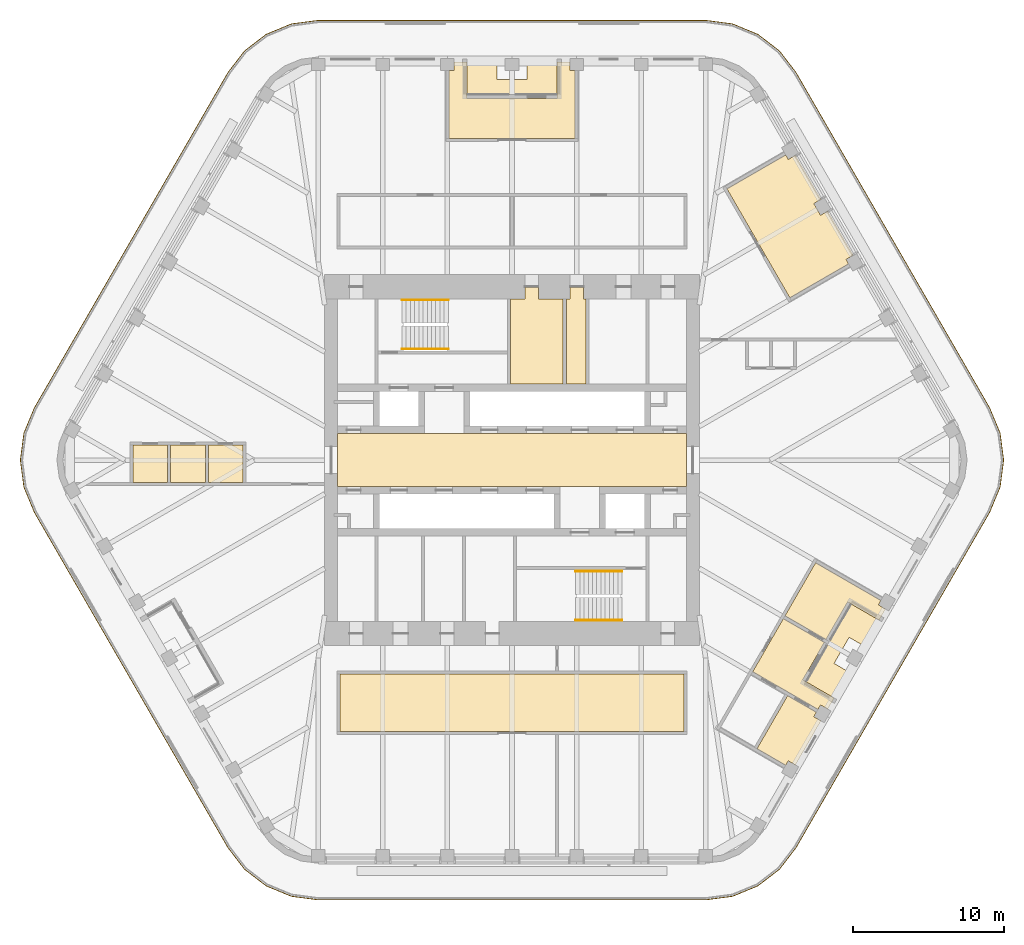
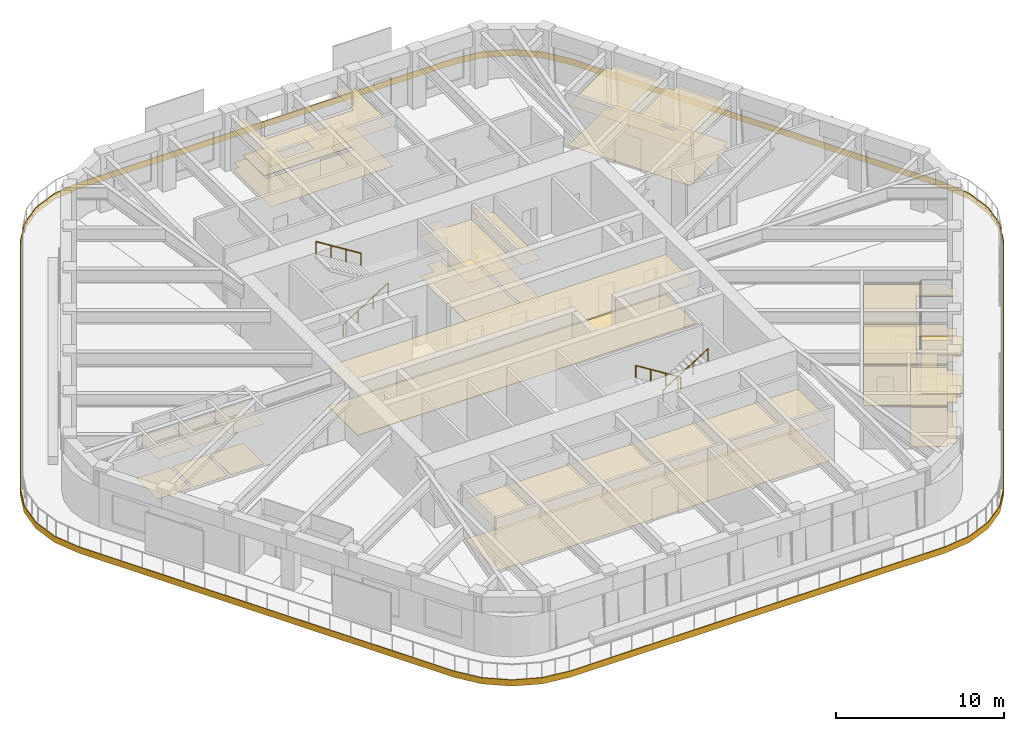
# One storey, part 18 of 19: 11 coverings, 4 railings.
"""IFC4 building model written with IfcOpenShell, lengths in metres."""

import ifcopenshell
import ifcopenshell.guid

model = None  # the IFC model being written
_history = None  # IfcOwnerHistory: only IFC2X3 demands one
_inside = {}  # id of a spatial element -> (the spatial element, [elements in it])
_under = {}  # id of a project, library or spatial element -> (it, [spatial elements below it])
_declared = {}  # id of a project -> (the project, [libraries it declares])
_typed = {}  # id of a type object -> (the type object, [elements of that type])
_made_of = {}  # id of a material, layer set ... -> (it, [elements and type objects made of it])


def new_model(schema):
    """Start an empty IFC model of exactly this schema.

    Asked for "IFC4X3", IfcOpenShell would pick the latest addendum, in which some entities
    have other attributes; the version numbers below select the first issue.
    IFC2X3 requires an IfcOwnerHistory on every rooted entity: one is made here for all.
    """
    global model, _history
    if schema == "IFC4X3":
        model = ifcopenshell.file(schema_version=(4, 3, 0, 0))
    else:
        model = ifcopenshell.file(schema=schema)
    _inside.clear()
    _under.clear()
    _declared.clear()
    _typed.clear()
    _made_of.clear()
    _history = None
    if model.schema == "IFC2X3":
        org = make("IfcOrganization", Name="unknown")
        user = make(
            "IfcPersonAndOrganization",
            ThePerson=make("IfcPerson", FamilyName="unknown"),
            TheOrganization=org,
        )
        app = make(
            "IfcApplication",
            ApplicationDeveloper=org,
            Version="unknown",
            ApplicationFullName="unknown",
            ApplicationIdentifier="unknown",
        )
        _history = make(
            "IfcOwnerHistory",
            OwningUser=user,
            OwningApplication=app,
            ChangeAction="ADDED",
            CreationDate=0,
        )
    return model


def make(cls, **values):
    """One entity of the class cls with the attributes given. An attribute that is None is left unset."""
    return model.create_entity(
        cls, **{name: value for name, value in values.items() if value is not None}
    )


def rooted(cls, **values):
    """An entity with a GlobalId (a new one), such as an element, a storey or a relation."""
    return make(cls, GlobalId=ifcopenshell.guid.new(), OwnerHistory=_history, **values)


def si_unit(unit_type, name, prefix=None):
    """IfcSIUnit, for example si_unit("LENGTHUNIT", "METRE", prefix="MILLI")."""
    return make("IfcSIUnit", UnitType=unit_type, Prefix=prefix, Name=name)


def assignment(units):
    """IfcUnitAssignment: the units of a project."""
    return None if units is None else make("IfcUnitAssignment", Units=units)


def point(xyz):
    """IfcCartesianPoint."""
    return None if xyz is None else make("IfcCartesianPoint", Coordinates=xyz)


def direction(xyz):
    """IfcDirection."""
    return None if xyz is None else make("IfcDirection", DirectionRatios=xyz)


def frame(location, z_axis=None, x_axis=None):
    """IfcAxis2Placement3D, a coordinate frame: its origin and axes. An axis left out is left unset."""
    return make(
        "IfcAxis2Placement3D",
        Location=point(location),
        Axis=direction(z_axis),
        RefDirection=direction(x_axis),
    )


def frame_2d(location, x_axis=None):
    """IfcAxis2Placement2D, a coordinate frame in the plane: its origin and x axis."""
    return make(
        "IfcAxis2Placement2D", Location=point(location), RefDirection=direction(x_axis)
    )


def origin():
    """The frame at (0, 0, 0) with its axes left unset."""
    return frame((0.0, 0.0, 0.0))


def origin_2d():
    """The frame at (0, 0) in the plane with its x axis left unset."""
    return frame_2d((0.0, 0.0))


def place(relative_to, where):
    """IfcLocalPlacement: puts the frame where relative to a parent placement (None: the world)."""
    return make(
        "IfcLocalPlacement", PlacementRelTo=relative_to, RelativePlacement=where
    )


def context(
    kind, dimensions, precision=None, world=None, true_north=None, identifier=None
):
    """IfcGeometricRepresentationContext, for example the 3D "Model" context."""
    return make(
        "IfcGeometricRepresentationContext",
        ContextIdentifier=identifier,
        ContextType=kind,
        CoordinateSpaceDimension=dimensions,
        Precision=precision,
        WorldCoordinateSystem=world,
        TrueNorth=true_north,
    )


def subcontext(parent, identifier, kind, view, scale=None):
    """IfcGeometricRepresentationSubContext, for example "Body" below "Model"."""
    return make(
        "IfcGeometricRepresentationSubContext",
        ContextIdentifier=identifier,
        ContextType=kind,
        ParentContext=parent,
        TargetScale=scale,
        TargetView=view,
    )


def project(units=None, contexts=None):
    """IfcProject with its units and contexts."""
    return rooted(
        "IfcProject",
        Name="project",
        RepresentationContexts=contexts,
        UnitsInContext=assignment(units),
    )


def spatial(cls, under=None, at=None, **own):
    """A site, building, storey or space (cls), placed at a placement, below another one or the project."""
    s = rooted(cls, ObjectPlacement=at, **own)
    if under is not None:
        _under.setdefault(under.id(), (under, []))[1].append(s)
    return s


def polyline(points):
    """IfcPolyline through the points."""
    return make("IfcPolyline", Points=[point(p) for p in points])


def profile(cls, at=None, kind="AREA", **sizes):
    """A parametric profile (cls). Its sizes go by their IFC names, for example OverallWidth=200.0."""
    return make(cls, ProfileType=kind, Position=at, **sizes)


def circle(**sizes):
    """IfcCircleProfileDef."""
    return profile("IfcCircleProfileDef", **sizes)


def outline(outer, holes=None, kind="AREA"):
    """IfcArbitraryClosedProfileDef: a profile drawn as a closed curve; with holes, ...WithVoids."""
    if holes is None:
        return make("IfcArbitraryClosedProfileDef", ProfileType=kind, OuterCurve=outer)
    return make(
        "IfcArbitraryProfileDefWithVoids",
        ProfileType=kind,
        OuterCurve=outer,
        InnerCurves=holes,
    )


def extrude(swept, where, along, depth):
    """IfcExtrudedAreaSolid: the profile swept, set in the frame where, extruded along a direction by depth."""
    return make(
        "IfcExtrudedAreaSolid",
        SweptArea=swept,
        Position=where,
        ExtrudedDirection=direction(along),
        Depth=depth,
    )


def shape(context_of_items, identifier, shape_type, items):
    """IfcShapeRepresentation: the items that make up one representation, for example the "Body"."""
    return make(
        "IfcShapeRepresentation",
        ContextOfItems=context_of_items,
        RepresentationIdentifier=identifier,
        RepresentationType=shape_type,
        Items=items,
    )


def material(Name=None, Category=None):
    """IfcMaterial."""
    return make("IfcMaterial", Name=Name, Category=Category)


def layer(
    of_material, thickness, ventilated=None, Name=None, Category=None, Priority=None
):
    """IfcMaterialLayer: one layer of a wall or slab, of a material (None: an air gap)."""
    return make(
        "IfcMaterialLayer",
        Material=of_material,
        LayerThickness=thickness,
        IsVentilated=ventilated,
        Name=Name,
        Category=Category,
        Priority=Priority,
    )


def layer_set(layers, Name=None):
    """IfcMaterialLayerSet."""
    return make("IfcMaterialLayerSet", MaterialLayers=layers, LayerSetName=Name)


def made_of(thing, what):
    """Note that an element or type object is made of a material, layer set ...; save() writes the relation."""
    if what is not None:
        _made_of.setdefault(what.id(), (what, []))[1].append(thing)
    return thing


def type_object(cls, material=None, **own):
    """A type object (cls), such as IfcWallType, which elements share."""
    return made_of(rooted(cls, **own), material)


def element(
    cls,
    number,
    at=None,
    inside=None,
    cuts=None,
    type_object=None,
    material=None,
    context=None,
    identifier="Body",
    shape_type=None,
    held_by="IfcProductDefinitionShape",
    body=None,
    shapes=None,
    **own,
):
    """One element of the class cls, such as IfcWall. Its Tag is "e" and its number.

    at: its placement. inside: the storey or other place that contains it. cuts: it is an
    opening in that element (IfcRelVoidsElement). A single representation is given by context,
    identifier, shape_type and body (its items); several are given by shapes. held_by: the class
    of the entity that holds the representations. save() writes the other relations.
    """
    e = rooted(cls, Tag="e%d" % number, ObjectPlacement=at, **own)
    if body is not None:
        shapes = [shape(context, identifier, shape_type, body)]
    if shapes is not None:
        e.Representation = make(held_by, Representations=shapes)
    if inside is not None:
        _inside.setdefault(inside.id(), (inside, []))[1].append(e)
    if cuts is not None:
        rooted(
            "IfcRelVoidsElement", RelatingBuildingElement=cuts, RelatedOpeningElement=e
        )
    if type_object is not None:
        _typed.setdefault(type_object.id(), (type_object, []))[1].append(e)
    return made_of(e, material)


def aggregate(whole, parts):
    """IfcRelAggregates: a whole, such as a stair, and the parts it consists of."""
    return rooted("IfcRelAggregates", RelatingObject=whole, RelatedObjects=parts)


def save(model, path):
    """Write the relations noted so far, then the file.

    IfcRelAggregates (storeys below a building ...), IfcRelContainedInSpatialStructure (elements
    in a storey), IfcRelDefinesByType, IfcRelAssociatesMaterial and IfcRelDeclares: one each for
    every whole, place, type object, material and project.
    """
    for whole, parts in _under.values():
        aggregate(whole, parts)
    for where, things in _inside.values():
        rooted(
            "IfcRelContainedInSpatialStructure",
            RelatedElements=things,
            RelatingStructure=where,
        )
    for kind, things in _typed.values():
        rooted("IfcRelDefinesByType", RelatedObjects=things, RelatingType=kind)
    for what, things in _made_of.values():
        rooted("IfcRelAssociatesMaterial", RelatedObjects=things, RelatingMaterial=what)
    for by, libraries in _declared.values():
        rooted("IfcRelDeclares", RelatingContext=by, RelatedDefinitions=libraries)
    model.write(path)


model = new_model("IFC4")

# Units and contexts
model_context = context("Model", 3, precision=1e-05, world=origin(), true_north=direction((0.0, 1.0)))
body_context = subcontext(model_context, "Body", "Model", "MODEL_VIEW")
ifc_project = project(units=[si_unit("LENGTHUNIT", "METRE"), si_unit("AREAUNIT", "SQUARE_METRE"), si_unit("VOLUMEUNIT", "CUBIC_METRE"), si_unit("PLANEANGLEUNIT", "RADIAN"), si_unit("MASSUNIT", "GRAM", prefix="KILO")], contexts=[model_context])

# Site, building, storey
site_placement = place(None, origin())
site = spatial("IfcSite", under=ifc_project, at=site_placement, CompositionType="ELEMENT")
building_placement = place(site_placement, origin())
building = spatial("IfcBuilding", under=site, at=building_placement, Name="Tarfa Lantern Tower", CompositionType="ELEMENT")
storey_placement = place(building_placement, frame((0.0, 0.0, 357.699951171875)))
storey = spatial("IfcBuildingStorey", under=building, at=storey_placement, Name="L81", CompositionType="ELEMENT", Elevation=357.699951171875)

# Coverings
ifc_material_1 = material(Name="Mineral fibre acoustic tile on suspension grid", Category="finish")
ifc_layer_1 = layer(ifc_material_1, 0.02001953125)
ifc_layer_set_1 = layer_set([ifc_layer_1], Name="CL1 ACOUSTIC TILE CEILING 20")
covering_type_1 = type_object("IfcCoveringType", Name="CL1 ACOUSTIC TILE CEILING 20", PredefinedType="CEILING", material=ifc_layer_set_1)
covering_1_placement = place(storey_placement, frame((0.0, 0.0, 2.900146484375)))
element("IfcCovering", 1, at=covering_1_placement, inside=storey, type_object=covering_type_1, Name="Ceiling L81 CL1", PredefinedType="CEILING", context=body_context, shape_type="SweptSolid", body=[
    extrude(outline(polyline([(4.18212890625, 21.35009765625), (-4.18212890625, 21.35009765625), (-4.18212890625, 25.85009765625), (-3.83203125, 25.85009765625), (-3.83203125, 26.39990234375), (-2.98193359375, 26.39990234375), (-2.98193359375, 24.0), (2.98193359375, 24.0), (2.98193359375, 26.39990234375), (3.83203125, 26.39990234375), (3.83203125, 25.85009765625), (4.18212890625, 25.85009765625), (4.18212890625, 21.35009765625)])), origin(), (0.0, 0.0, 1.0), 0.02001953125),
    extrude(outline(polyline([(14.257568359375, 18.005126953125), (18.15478515625, 20.255126953125), (18.329833984375, 19.951904296875), (18.80615234375, 20.22705078125), (20.4970703125, 17.298095703125), (20.020751953125, 17.02294921875), (20.470703125, 16.24365234375), (20.947021484375, 16.5185546875), (22.63818359375, 13.589599609375), (22.161865234375, 13.314697265625), (22.336669921875, 13.01171875), (18.439697265625, 10.76171875), (14.257568359375, 18.005126953125)])), origin(), (0.0, 0.0, 1.0), 0.02001953125),
    extrude(outline(polyline([(16.24951171875, -19.155029296875), (18.29052734375, -15.619873046875), (20.19580078125, -16.719970703125), (20.020751953125, -17.02294921875), (20.4970703125, -17.298095703125), (18.80615234375, -20.22705078125), (18.329833984375, -19.951904296875), (18.15478515625, -20.255126953125), (16.24951171875, -19.155029296875)])), origin(), (0.0, 0.0, 1.0), 0.02001953125),
    extrude(outline(polyline([(18.006591796875, -10.51171875), (20.734619140625, -12.086669921875), (19.293701171875, -14.58251953125), (21.3720703125, -15.782470703125), (20.947021484375, -16.5185546875), (20.470703125, -16.24365234375), (20.295654296875, -16.546630859375), (15.965576171875, -14.046630859375), (18.006591796875, -10.51171875)])), origin(), (0.0, 0.0, 1.0), 0.02001953125),
    extrude(outline(polyline([(-20.150146484375, 1.0), (-17.85009765625, 1.0), (-17.85009765625, -1.5), (-20.150146484375, -1.5), (-20.150146484375, 1.0)])), origin(), (0.0, 0.0, 1.0), 0.02001953125),
    extrude(outline(polyline([(-22.650146484375, 1.0), (-20.35009765625, 1.0), (-20.35009765625, -1.5), (-22.650146484375, -1.5), (-22.650146484375, 1.0)])), origin(), (0.0, 0.0, 1.0), 0.02001953125),
    extrude(outline(polyline([(-25.150146484375, 1.0), (-22.85009765625, 1.0), (-22.85009765625, -1.5), (-25.150146484375, -1.5), (-25.150146484375, 1.0)])), origin(), (0.0, 0.0, 1.0), 0.02001953125),
    extrude(outline(polyline([(-11.39990234375, -14.199951171875), (11.39990234375, -14.199951171875), (11.39990234375, -18.0), (-11.39990234375, -18.0), (-11.39990234375, -14.199951171875)])), origin(), (0.0, 0.0, 1.0), 0.02001953125),
    extrude(outline(polyline([(20.147705078125, -6.80322265625), (24.477783203125, -9.30322265625), (24.302734375, -9.6064453125), (24.779052734375, -9.88134765625), (24.35400390625, -10.617431640625), (22.275634765625, -9.41748046875), (20.834716796875, -11.913330078125), (18.106689453125, -10.33837890625), (20.147705078125, -6.80322265625)])), origin(), (0.0, 0.0, 1.0), 0.02001953125),
])
ifc_material_2 = material(Name="Moisture-resistant plasterboard", Category="finish")
ifc_layer_2 = layer(ifc_material_2, 0.014892578125)
ifc_layer_set_2 = layer_set([ifc_layer_2], Name="CL2 MOISTURE-RESISTANT PLASTERBOARD CEILING 15")
covering_type_2 = type_object("IfcCoveringType", Name="CL2 MOISTURE-RESISTANT PLASTERBOARD CEILING 15", PredefinedType="CEILING", material=ifc_layer_set_2)
covering_2_placement = place(storey_placement, frame((0.0, 0.0, 2.900146484375)))
element("IfcCovering", 2, at=covering_2_placement, inside=storey, type_object=covering_type_2, Name="Ceiling L81-05", PredefinedType="CEILING", context=body_context, shape_type="SweptSolid", body=[
    extrude(outline(polyline([(0.85009765625, 10.699951171875), (-0.10009765625, 10.699951171875), (-0.10009765625, 5.050048828125), (3.39990234375, 5.050048828125), (3.39990234375, 10.699951171875), (1.75, 10.699951171875), (1.75, 11.5), (0.85009765625, 11.5), (0.85009765625, 11.5), (0.85009765625, 10.699951171875)])), origin(), (0.0, 0.0, 1.0), 0.014892578125),
])
covering_3_placement = place(storey_placement, frame((0.0, 0.0, 2.900146484375)))
element("IfcCovering", 3, at=covering_3_placement, inside=storey, type_object=covering_type_2, Name="Ceiling L81-06", PredefinedType="CEILING", context=body_context, shape_type="SweptSolid", body=[
    extrude(outline(polyline([(3.60009765625, 5.050048828125), (4.89990234375, 5.050048828125), (4.89990234375, 10.699951171875), (4.75, 10.699951171875), (4.75, 11.5), (3.85009765625, 11.5), (3.85009765625, 10.699951171875), (3.60009765625, 10.699951171875), (3.60009765625, 5.050048828125)])), origin(), (0.0, 0.0, 1.0), 0.014892578125),
])
ifc_material_3 = material(Name="Powder-coated aluminium panel", Category="aluminium")
ifc_layer_3 = layer(ifc_material_3, 0.030029296875)
ifc_layer_set_3 = layer_set([ifc_layer_3], Name="CL3 METAL PANEL CEILING 30")
covering_type_3 = type_object("IfcCoveringType", Name="CL3 METAL PANEL CEILING 30", PredefinedType="CEILING", material=ifc_layer_set_3)
covering_4_placement = place(storey_placement, frame((0.0, 0.0, 2.900146484375)))
element("IfcCovering", 4, at=covering_4_placement, inside=storey, type_object=covering_type_3, Name="Ceiling L81-01", PredefinedType="CEILING", context=body_context, shape_type="SweptSolid", body=[
    extrude(outline(polyline([(-11.574951171875, -1.75), (11.574951171875, -1.75), (11.574951171875, 1.75), (-11.574951171875, 1.75), (-11.574951171875, -1.75)])), origin(), (0.0, 0.0, 1.0), 0.02978515625),
])
ifc_material_4 = material(Name="Nylon carpet tile", Category="finish")
ifc_layer_4 = layer(ifc_material_4, 0.010009765625)
ifc_layer_set_4 = layer_set([ifc_layer_4], Name="FL1 CARPET TILE 10")
covering_type_4 = type_object("IfcCoveringType", Name="FL1 CARPET TILE 10", PredefinedType="FLOORING", material=ifc_layer_set_4)
covering_5_placement = place(storey_placement, origin())
element("IfcCovering", 5, at=covering_5_placement, inside=storey, type_object=covering_type_4, Name="Floor finish L81 FL1", PredefinedType="FLOORING", context=body_context, shape_type="SweptSolid", body=[
    extrude(outline(polyline([(4.18212890625, 21.35009765625), (-4.18212890625, 21.35009765625), (-4.18212890625, 25.85009765625), (-3.83203125, 25.85009765625), (-3.83203125, 26.39990234375), (-2.98193359375, 26.39990234375), (-2.98193359375, 24.0), (2.98193359375, 24.0), (2.98193359375, 26.39990234375), (3.83203125, 26.39990234375), (3.83203125, 25.85009765625), (4.18212890625, 25.85009765625), (4.18212890625, 21.35009765625)])), origin(), (0.0, 0.0, 1.0), 0.010009765625),
    extrude(outline(polyline([(14.257568359375, 18.005126953125), (18.15478515625, 20.255126953125), (18.329833984375, 19.951904296875), (18.80615234375, 20.22705078125), (20.4970703125, 17.298095703125), (20.020751953125, 17.02294921875), (20.470703125, 16.24365234375), (20.947021484375, 16.5185546875), (22.63818359375, 13.589599609375), (22.161865234375, 13.314697265625), (22.336669921875, 13.01171875), (18.439697265625, 10.76171875), (14.257568359375, 18.005126953125)])), origin(), (0.0, 0.0, 1.0), 0.010009765625),
    extrude(outline(polyline([(16.24951171875, -19.155029296875), (18.29052734375, -15.619873046875), (20.19580078125, -16.719970703125), (20.020751953125, -17.02294921875), (20.4970703125, -17.298095703125), (18.80615234375, -20.22705078125), (18.329833984375, -19.951904296875), (18.15478515625, -20.255126953125), (16.24951171875, -19.155029296875)])), origin(), (0.0, 0.0, 1.0), 0.010009765625),
    extrude(outline(polyline([(18.006591796875, -10.51171875), (20.734619140625, -12.086669921875), (19.293701171875, -14.58251953125), (21.3720703125, -15.782470703125), (20.947021484375, -16.5185546875), (20.470703125, -16.24365234375), (20.295654296875, -16.546630859375), (15.965576171875, -14.046630859375), (18.006591796875, -10.51171875)])), origin(), (0.0, 0.0, 1.0), 0.010009765625),
    extrude(outline(polyline([(-20.150146484375, 1.0), (-17.85009765625, 1.0), (-17.85009765625, -1.5), (-20.150146484375, -1.5), (-20.150146484375, 1.0)])), origin(), (0.0, 0.0, 1.0), 0.010009765625),
    extrude(outline(polyline([(-22.650146484375, 1.0), (-20.35009765625, 1.0), (-20.35009765625, -1.5), (-22.650146484375, -1.5), (-22.650146484375, 1.0)])), origin(), (0.0, 0.0, 1.0), 0.010009765625),
    extrude(outline(polyline([(-25.150146484375, 1.0), (-22.85009765625, 1.0), (-22.85009765625, -1.5), (-25.150146484375, -1.5), (-25.150146484375, 1.0)])), origin(), (0.0, 0.0, 1.0), 0.010009765625),
    extrude(outline(polyline([(-11.39990234375, -14.199951171875), (11.39990234375, -14.199951171875), (11.39990234375, -18.0), (-11.39990234375, -18.0), (-11.39990234375, -14.199951171875)])), origin(), (0.0, 0.0, 1.0), 0.010009765625),
    extrude(outline(polyline([(20.147705078125, -6.80322265625), (24.477783203125, -9.30322265625), (24.302734375, -9.6064453125), (24.779052734375, -9.88134765625), (24.35400390625, -10.617431640625), (22.275634765625, -9.41748046875), (20.834716796875, -11.913330078125), (18.106689453125, -10.33837890625), (20.147705078125, -6.80322265625)])), origin(), (0.0, 0.0, 1.0), 0.010009765625),
])
ifc_material_5 = material(Name="Honed limestone flooring", Category="masonry")
ifc_layer_5 = layer(ifc_material_5, 0.030029296875)
ifc_layer_set_5 = layer_set([ifc_layer_5], Name="FL2 STONE FLOORING 30")
covering_type_5 = type_object("IfcCoveringType", Name="FL2 STONE FLOORING 30", PredefinedType="FLOORING", material=ifc_layer_set_5)
covering_6_placement = place(storey_placement, origin())
element("IfcCovering", 6, at=covering_6_placement, inside=storey, type_object=covering_type_5, Name="Floor finish L81-01", PredefinedType="FLOORING", context=body_context, shape_type="SweptSolid", body=[
    extrude(outline(polyline([(-11.574951171875, -1.75), (11.574951171875, -1.75), (11.574951171875, 1.75), (-11.574951171875, 1.75), (-11.574951171875, -1.75)])), origin(), (0.0, 0.0, 1.0), 0.030029296875),
])
ifc_material_6 = material(Name="Porcelain floor tile", Category="finish")
ifc_layer_6 = layer(ifc_material_6, 0.011962890625)
ifc_layer_set_6 = layer_set([ifc_layer_6], Name="FL3 CERAMIC TILE 12")
covering_type_6 = type_object("IfcCoveringType", Name="FL3 CERAMIC TILE 12", PredefinedType="FLOORING", material=ifc_layer_set_6)
covering_7_placement = place(storey_placement, origin())
element("IfcCovering", 7, at=covering_7_placement, inside=storey, type_object=covering_type_6, Name="Floor finish L81-05", PredefinedType="FLOORING", context=body_context, shape_type="SweptSolid", body=[
    extrude(outline(polyline([(0.85009765625, 10.699951171875), (-0.10009765625, 10.699951171875), (-0.10009765625, 5.050048828125), (3.39990234375, 5.050048828125), (3.39990234375, 10.699951171875), (1.75, 10.699951171875), (1.75, 11.5), (0.85009765625, 11.5), (0.85009765625, 11.5), (0.85009765625, 10.699951171875)])), origin(), (0.0, 0.0, 1.0), 0.011962890625),
])
covering_8_placement = place(storey_placement, origin())
element("IfcCovering", 8, at=covering_8_placement, inside=storey, type_object=covering_type_6, Name="Floor finish L81-06", PredefinedType="FLOORING", context=body_context, shape_type="SweptSolid", body=[
    extrude(outline(polyline([(3.60009765625, 5.050048828125), (4.89990234375, 5.050048828125), (4.89990234375, 10.699951171875), (4.75, 10.699951171875), (4.75, 11.5), (3.85009765625, 11.5), (3.85009765625, 10.699951171875), (3.60009765625, 10.699951171875), (3.60009765625, 5.050048828125)])), origin(), (0.0, 0.0, 1.0), 0.011962890625),
])

# Railings
ifc_material_7 = material(Name="Stainless steel", Category="steel")
railing_type = type_object("IfcRailingType", Name="HR1 HANDRAIL 900", PredefinedType="HANDRAIL", material=ifc_material_7)
railing_1_placement = place(storey_placement, frame((-7.300048828125, 7.3798828125, 0.175048828125)))
element("IfcRailing", 9, at=railing_1_placement, inside=storey, type_object=railing_type, Name="Handrail 1", PredefinedType="HANDRAIL", context=body_context, shape_type="SweptSolid", body=[
    extrude(circle(Radius=0.02392578125, at=origin_2d()), frame((0.0, 0.0, 0.8759765625), z_axis=(0.847998304005, 0.0, 0.529998940003), x_axis=(0.0, 1.0, 0.0)), (0.0, 0.0, 1.0), 3.632080078125),
    extrude(circle(Radius=0.02099609375, at=origin_2d()), frame((0.0, 0.0, 0.0), z_axis=(0.0, 0.0, 1.0), x_axis=(0.0, 1.0, 0.0)), (0.0, 0.0, 1.0), 0.851806640625),
    extrude(circle(Radius=0.02099609375, at=origin_2d()), frame((1.026611328125, 0.0, 0.6416015625), z_axis=(0.0, 0.0, 1.0), x_axis=(0.0, 1.0, 0.0)), (0.0, 0.0, 1.0), 0.851806640625),
    extrude(circle(Radius=0.02099609375, at=origin_2d()), frame((2.053466796875, 0.0, 1.283447265625), z_axis=(0.0, 0.0, 1.0), x_axis=(0.0, 1.0, 0.0)), (0.0, 0.0, 1.0), 0.851806640625),
    extrude(circle(Radius=0.02099609375, at=origin_2d()), frame((3.080078125, 0.0, 1.925048828125), z_axis=(0.0, 0.0, 1.0), x_axis=(0.0, 1.0, 0.0)), (0.0, 0.0, 1.0), 0.851806640625),
])
railing_2_placement = place(storey_placement, frame((-4.219970703125, 10.6201171875, 2.275146484375)))
element("IfcRailing", 10, at=railing_2_placement, inside=storey, type_object=railing_type, Name="Handrail 2", PredefinedType="HANDRAIL", context=body_context, shape_type="SweptSolid", body=[
    extrude(circle(Radius=0.02392578125, at=origin_2d()), frame((0.0, 0.0, 0.8759765625), z_axis=(-0.848028513186, 0.0, 0.529950602248), x_axis=(0.0, -1.0, 0.0)), (0.0, 0.0, 1.0), 3.632080078125),
    extrude(circle(Radius=0.02099609375, at=origin_2d()), frame((0.0, 0.0, 0.0), z_axis=(0.0, 0.0, 1.0), x_axis=(0.0, -1.0, 0.0)), (0.0, 0.0, 1.0), 0.851806640625),
    extrude(circle(Radius=0.02099609375, at=origin_2d()), frame((-1.026611328125, 0.0, 0.6416015625), z_axis=(0.0, 0.0, 1.0), x_axis=(0.0, -1.0, 0.0)), (0.0, 0.0, 1.0), 0.851806640625),
    extrude(circle(Radius=0.02099609375, at=origin_2d()), frame((-2.053466796875, 0.0, 1.283203125), z_axis=(0.0, 0.0, 1.0), x_axis=(0.0, -1.0, 0.0)), (0.0, 0.0, 1.0), 0.851806640625),
    extrude(circle(Radius=0.02099609375, at=origin_2d()), frame((-3.080078125, 0.0, 1.9248046875), z_axis=(0.0, 0.0, 1.0), x_axis=(0.0, -1.0, 0.0)), (0.0, 0.0, 1.0), 0.851806640625),
])
railing_3_placement = place(storey_placement, frame((7.300048828125, -7.3798828125, 0.175048828125)))
element("IfcRailing", 11, at=railing_3_placement, inside=storey, type_object=railing_type, Name="Handrail 1", PredefinedType="HANDRAIL", context=body_context, shape_type="SweptSolid", body=[
    extrude(circle(Radius=0.02392578125, at=origin_2d()), frame((0.0, 0.0, 0.8759765625), z_axis=(-0.847998304005, 0.0, 0.529998940003), x_axis=(0.0, -1.0, 0.0)), (0.0, 0.0, 1.0), 3.632080078125),
    extrude(circle(Radius=0.02099609375, at=origin_2d()), frame((0.0, 0.0, 0.0), z_axis=(0.0, 0.0, 1.0), x_axis=(0.0, -1.0, 0.0)), (0.0, 0.0, 1.0), 0.851806640625),
    extrude(circle(Radius=0.02099609375, at=origin_2d()), frame((-1.026611328125, 0.0, 0.6416015625), z_axis=(0.0, 0.0, 1.0), x_axis=(0.0, -1.0, 0.0)), (0.0, 0.0, 1.0), 0.851806640625),
    extrude(circle(Radius=0.02099609375, at=origin_2d()), frame((-2.053466796875, 0.0, 1.283447265625), z_axis=(0.0, 0.0, 1.0), x_axis=(0.0, -1.0, 0.0)), (0.0, 0.0, 1.0), 0.851806640625),
    extrude(circle(Radius=0.02099609375, at=origin_2d()), frame((-3.080078125, 0.0, 1.925048828125), z_axis=(0.0, 0.0, 1.0), x_axis=(0.0, -1.0, 0.0)), (0.0, 0.0, 1.0), 0.851806640625),
])
railing_4_placement = place(storey_placement, frame((4.219970703125, -10.6201171875, 2.275146484375)))
element("IfcRailing", 12, at=railing_4_placement, inside=storey, type_object=railing_type, Name="Handrail 2", PredefinedType="HANDRAIL", context=body_context, shape_type="SweptSolid", body=[
    extrude(circle(Radius=0.02392578125, at=origin_2d()), frame((0.0, 0.0, 0.8759765625), z_axis=(0.848028513186, 0.0, 0.529950602248), x_axis=(0.0, 1.0, 0.0)), (0.0, 0.0, 1.0), 3.632080078125),
    extrude(circle(Radius=0.02099609375, at=origin_2d()), frame((0.0, 0.0, 0.0), z_axis=(0.0, 0.0, 1.0), x_axis=(0.0, 1.0, 0.0)), (0.0, 0.0, 1.0), 0.851806640625),
    extrude(circle(Radius=0.02099609375, at=origin_2d()), frame((1.026611328125, 0.0, 0.6416015625), z_axis=(0.0, 0.0, 1.0), x_axis=(0.0, 1.0, 0.0)), (0.0, 0.0, 1.0), 0.851806640625),
    extrude(circle(Radius=0.02099609375, at=origin_2d()), frame((2.053466796875, 0.0, 1.283203125), z_axis=(0.0, 0.0, 1.0), x_axis=(0.0, 1.0, 0.0)), (0.0, 0.0, 1.0), 0.851806640625),
    extrude(circle(Radius=0.02099609375, at=origin_2d()), frame((3.080078125, 0.0, 1.9248046875), z_axis=(0.0, 0.0, 1.0), x_axis=(0.0, 1.0, 0.0)), (0.0, 0.0, 1.0), 0.851806640625),
])

# Coverings
ifc_material_8 = material(Name="Porcelain pavers on pedestals", Category="ceramic")
ifc_layer_7 = layer(ifc_material_8, 0.0400390625)
ifc_layer_set_7 = layer_set([ifc_layer_7], Name="LP1 LOGGIA PAVING 40")
covering_type_7 = type_object("IfcCoveringType", Name="LP1 LOGGIA PAVING 40", PredefinedType="FLOORING", material=ifc_layer_set_7)
covering_9_placement = place(storey_placement, origin())
element("IfcCovering", 13, at=covering_9_placement, inside=storey, type_object=covering_type_7, Name="Terrace paving N", PredefinedType="FLOORING", context=body_context, shape_type="SweptSolid", body=[
    extrude(outline(polyline([(2.98193359375, 26.75), (2.98193359375, 24.27001953125), (-2.98193359375, 24.27001953125), (-2.98193359375, 26.75), (-1.0, 26.75), (-1.0, 25.25), (1.0, 25.25), (1.0, 26.75), (2.98193359375, 26.75)])), origin(), (0.0, 0.0, 1.0), 0.0400390625),
])
covering_10_placement = place(storey_placement, origin())
element("IfcCovering", 14, at=covering_10_placement, inside=storey, type_object=covering_type_7, Name="Terrace paving SE", PredefinedType="FLOORING", context=body_context, shape_type="SweptSolid", body=[
    extrude(outline(polyline([(21.67529296875, -15.95751953125), (19.52734375, -14.717529296875), (22.509521484375, -9.552490234375), (24.6572265625, -10.79248046875), (23.666259765625, -12.509033203125), (22.3671875, -11.759033203125), (21.3671875, -13.490966796875), (22.666259765625, -14.240966796875), (21.67529296875, -15.95751953125)])), origin(), (0.0, 0.0, 1.0), 0.0400390625),
])
ifc_material_9 = material(Name="Limestone cladding on brackets", Category="masonry")
ifc_layer_8 = layer(ifc_material_9, 0.050048828125)
ifc_layer_set_8 = layer_set([ifc_layer_8], Name="SB1 STONE BAND CLADDING 50")
covering_type_8 = type_object("IfcCoveringType", Name="SB1 STONE BAND CLADDING 50", PredefinedType="CLADDING", material=ifc_layer_set_8)
covering_11_placement = place(storey_placement, frame((0.0, 0.0, -0.39990234375)))
element("IfcCovering", 15, at=covering_11_placement, inside=storey, type_object=covering_type_8, Name="Stone band", PredefinedType="CLADDING", context=body_context, shape_type="SweptSolid", body=[
    extrude(outline(polyline([(31.7109375, 3.47509765625), (18.864990234375, 25.72509765625), (17.760498046875, 27.164306640625), (16.321044921875, 28.268798828125), (14.644775390625, 28.963134765625), (12.845947265625, 29.199951171875), (-12.845947265625, 29.199951171875), (-14.644775390625, 28.963134765625), (-16.321044921875, 28.268798828125), (-17.760498046875, 27.164306640625), (-18.864990234375, 25.72509765625), (-31.7109375, 3.47509765625), (-32.4052734375, 1.798828125), (-32.64208984375, 0.0), (-32.4052734375, -1.798828125), (-31.7109375, -3.47509765625), (-18.864990234375, -25.72509765625), (-17.760498046875, -27.164306640625), (-16.321044921875, -28.268798828125), (-14.644775390625, -28.963134765625), (-12.845947265625, -29.199951171875), (12.845947265625, -29.199951171875), (14.644775390625, -28.963134765625), (16.321044921875, -28.268798828125), (17.760498046875, -27.164306640625), (18.864990234375, -25.72509765625), (31.7109375, -3.47509765625), (32.4052734375, -1.798828125), (32.64208984375, 0.0), (32.4052734375, 1.798828125), (31.7109375, 3.47509765625)]), holes=[polyline([(31.667724609375, 3.449951171875), (18.821533203125, 25.699951171875), (17.72509765625, 27.129150390625), (16.296142578125, 28.2255859375), (14.6318359375, 28.914794921875), (12.845947265625, 29.14990234375), (-12.845947265625, 29.14990234375), (-14.6318359375, 28.914794921875), (-16.296142578125, 28.2255859375), (-17.72509765625, 27.129150390625), (-18.821533203125, 25.699951171875), (-31.667724609375, 3.449951171875), (-32.35693359375, 1.785888671875), (-32.592041015625, 0.0), (-32.35693359375, -1.785888671875), (-31.667724609375, -3.449951171875), (-18.821533203125, -25.699951171875), (-17.72509765625, -27.129150390625), (-16.296142578125, -28.2255859375), (-14.6318359375, -28.914794921875), (-12.845947265625, -29.14990234375), (12.845947265625, -29.14990234375), (14.6318359375, -28.914794921875), (16.296142578125, -28.2255859375), (17.72509765625, -27.129150390625), (18.821533203125, -25.699951171875), (31.667724609375, -3.449951171875), (32.35693359375, -1.785888671875), (32.592041015625, 0.0), (32.35693359375, 1.785888671875), (31.667724609375, 3.449951171875)])]), origin(), (0.0, 0.0, 1.0), 0.449951171875),
])

save(model, "model.ifc")
